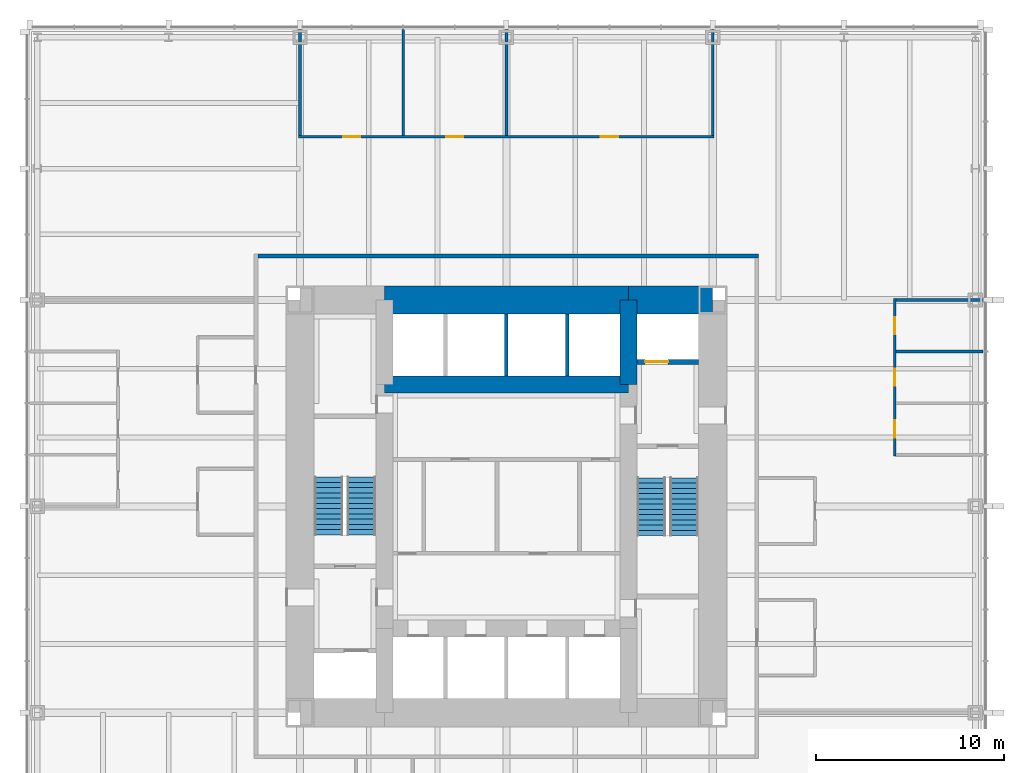
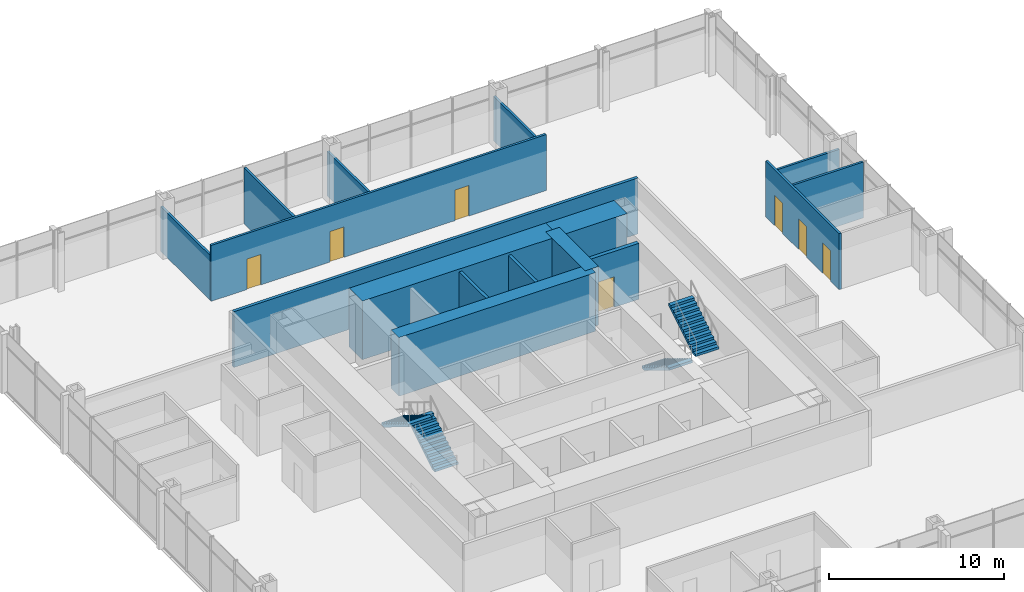
# One storey, part 11 of 12: 16 walls, 7 doors, 4 stair flights, 7 openings, 2 elements without a shape of their own.
"""IFC4 building model written with IfcOpenShell, lengths in metres."""

from ifc_helpers import new_model, si_unit, direction, frame, frame_2d, origin, place, context, subcontext, project, spatial, polyline, rectangle, outline, extrude, material, layer, layer_set, type_object, element, fill, aggregate, save


model = new_model("IFC4")

# Units and contexts
model_context = context("Model", 3, precision=1e-05, world=origin(), true_north=direction((0.0, 1.0)))
body_context = subcontext(model_context, "Body", "Model", "MODEL_VIEW")
ifc_project = project(units=[si_unit("LENGTHUNIT", "METRE"), si_unit("AREAUNIT", "SQUARE_METRE"), si_unit("VOLUMEUNIT", "CUBIC_METRE"), si_unit("PLANEANGLEUNIT", "RADIAN"), si_unit("MASSUNIT", "GRAM", prefix="KILO")], contexts=[model_context])

# Site, building, storey
site_placement = place(None, origin())
site = spatial("IfcSite", under=ifc_project, at=site_placement, CompositionType="ELEMENT")
building_placement = place(site_placement, origin())
building = spatial("IfcBuilding", under=site, at=building_placement, Name="Trevanion Tower", CompositionType="ELEMENT")
storey_placement = place(building_placement, frame((0.0, 0.0, 65.199951171875)))
storey = spatial("IfcBuildingStorey", under=building, at=storey_placement, Name="L15", CompositionType="ELEMENT", Elevation=65.199951171875)

# Walls
ifc_material_1 = material(Name="Concrete 10,000 psi", Category="concrete")
ifc_layer_1 = layer(ifc_material_1, 1.5)
ifc_layer_set_1 = layer_set([ifc_layer_1], Name="CW1 core wall 1500")
wall_type_1 = type_object("IfcWallType", Name="CW1 core wall 1500", PredefinedType="SHEAR", material=ifc_layer_set_1)
wall_1_placement = place(storey_placement, frame((11.0, 11.0, 0.0), z_axis=(0.0, 0.0, 1.0), x_axis=(-1.0, 0.0, 0.0)))
element("IfcWall", 1, at=wall_1_placement, inside=storey, type_object=wall_type_1, Name="CW1 CN1 L15", PredefinedType="SHEAR", context=body_context, shape_type="SweptSolid", body=[
    extrude(rectangle(XDim=4.5, YDim=1.5, at=frame_2d((2.25, 0.0))), origin(), (0.0, 0.0, 1.0), 4.10009765625),
])
wall_2_placement = place(storey_placement, frame((6.5, 11.0, 0.0), z_axis=(0.0, 0.0, 1.0), x_axis=(-1.0, 0.0, 0.0)))
element("IfcWall", 2, at=wall_2_placement, inside=storey, type_object=wall_type_1, Name="CW1 CN2 L15", PredefinedType="SHEAR", context=body_context, shape_type="SweptSolid", body=[
    extrude(rectangle(XDim=13.0, YDim=1.5, at=frame_2d((6.5, 0.0))), origin(), (0.0, 0.0, 1.0), 4.10009765625),
])
ifc_material_2 = material(Name="Concrete 10,000 psi", Category="concrete")
ifc_layer_2 = layer(ifc_material_2, 0.89990234375)
ifc_layer_set_2 = layer_set([ifc_layer_2], Name="CW2 core wall 900")
wall_type_2 = type_object("IfcWallType", Name="CW2 core wall 900", PredefinedType="SHEAR", material=ifc_layer_set_2)
wall_3_placement = place(storey_placement, frame((6.5, 6.5, 0.0), z_axis=(0.0, 0.0, 1.0), x_axis=(0.0, 1.0, 0.0)))
element("IfcWall", 3, at=wall_3_placement, inside=storey, type_object=wall_type_2, Name="CW2 RE3 L15", PredefinedType="SHEAR", context=body_context, shape_type="SweptSolid", body=[
    extrude(rectangle(XDim=4.5, YDim=0.89990234375, at=frame_2d((2.25, 0.0))), origin(), (0.0, 0.0, 1.0), 4.10009765625),
])
wall_4_placement = place(storey_placement, frame((6.5, 6.5, 0.0), z_axis=(0.0, 0.0, 1.0), x_axis=(-1.0, 0.0, 0.0)))
element("IfcWall", 4, at=wall_4_placement, inside=storey, type_object=wall_type_2, Name="CW2 RN L15", PredefinedType="SHEAR", context=body_context, shape_type="SweptSolid", body=[
    extrude(rectangle(XDim=13.0, YDim=0.89990234375, at=frame_2d((6.5, 0.0))), origin(), (0.0, 0.0, 1.0), 4.10009765625),
])

# Wall, openings, doors
ifc_material_3 = material(Name="Gypsum board on steel studs", Category="steel")
ifc_layer_3 = layer(ifc_material_3, 0.14990234375)
ifc_layer_set_3 = layer_set([ifc_layer_3], Name="PT1 partition 150")
wall_type_3 = type_object("IfcWallType", Name="PT1 partition 150", PredefinedType="PARTITIONING", material=ifc_layer_set_3)
wall_5_placement = place(storey_placement, frame((11.074951171875, 19.699951171875, 0.0), z_axis=(0.0, 0.0, 1.0), x_axis=(-1.0, 0.0, 0.0)))
wall_5 = element("IfcWall", 5, at=wall_5_placement, inside=storey, type_object=wall_type_3, Name="PT1 L15 FC1F", PredefinedType="PARTITIONING", context=body_context, shape_type="SweptSolid", body=[
    extrude(rectangle(XDim=22.14990234375, YDim=0.14990234375, at=frame_2d((11.074951171875, 0.0))), origin(), (0.0, 0.0, 1.0), 3.91015625),
])
opening_1_placement = place(wall_5_placement, frame((5.117431640625, 0.0, 0.0)))
opening_1 = element("IfcOpeningElement", 6, at=opening_1_placement, cuts=wall_5, Name="Opening 15-019", PredefinedType="OPENING", context=body_context, shape_type="SweptSolid", body=[
    extrude(rectangle(XDim=0.9150390625, YDim=2.134033203125, at=frame_2d((0.45751953125, 1.06689453125))), frame((0.0, 0.0849609375, 0.0), z_axis=(0.0, -1.0, 0.0), x_axis=(1.0, 0.0, 0.0)), (0.0, 0.0, 1.0), 0.169921875),
])
opening_2_placement = place(wall_5_placement, frame((13.367431640625, 0.0, 0.0)))
opening_2 = element("IfcOpeningElement", 7, at=opening_2_placement, cuts=wall_5, Name="Opening 15-020", PredefinedType="OPENING", context=body_context, shape_type="SweptSolid", body=[
    extrude(rectangle(XDim=0.9150390625, YDim=2.134033203125, at=frame_2d((0.45751953125, 1.06689453125))), frame((0.0, 0.0849609375, 0.0), z_axis=(0.0, -1.0, 0.0), x_axis=(1.0, 0.0, 0.0)), (0.0, 0.0, 1.0), 0.169921875),
])
opening_3_placement = place(wall_5_placement, frame((18.867431640625, 0.0, 0.0)))
opening_3 = element("IfcOpeningElement", 8, at=opening_3_placement, cuts=wall_5, Name="Opening 15-021", PredefinedType="OPENING", context=body_context, shape_type="SweptSolid", body=[
    extrude(rectangle(XDim=0.9150390625, YDim=2.134033203125, at=frame_2d((0.45751953125, 1.06689453125))), frame((0.0, 0.0849609375, 0.0), z_axis=(0.0, -1.0, 0.0), x_axis=(1.0, 0.0, 0.0)), (0.0, 0.0, 1.0), 0.169921875),
])
ifc_material_4 = material(Name="Timber veneer, solid core", Category="wood")
door_type_1 = type_object("IfcDoorType", Name="D1 office and meeting room door", OperationType="SINGLE_SWING_LEFT", PredefinedType="DOOR", material=ifc_material_4)
door_1_placement = place(opening_1_placement, origin())
door_1 = element("IfcDoor", 9, at=door_1_placement, inside=storey, type_object=door_type_1, Name="Door 15-019", OperationType="SINGLE_SWING_LEFT", OverallHeight=2.134033203125, OverallWidth=0.9150390625, PredefinedType="DOOR", context=body_context, shape_type="SweptSolid", body=[
    extrude(rectangle(XDim=0.9150390625, YDim=2.134033203125, at=frame_2d((0.45751953125, 1.06689453125))), frame((0.0, 0.02490234375, 0.0), z_axis=(0.0, -1.0, 0.0), x_axis=(1.0, 0.0, 0.0)), (0.0, 0.0, 1.0), 0.050048828125),
])
fill(opening_1, door_1)
door_2_placement = place(opening_2_placement, origin())
door_2 = element("IfcDoor", 10, at=door_2_placement, inside=storey, type_object=door_type_1, Name="Door 15-020", OperationType="SINGLE_SWING_LEFT", OverallHeight=2.134033203125, OverallWidth=0.9150390625, PredefinedType="DOOR", context=body_context, shape_type="SweptSolid", body=[
    extrude(rectangle(XDim=0.9150390625, YDim=2.134033203125, at=frame_2d((0.45751953125, 1.06689453125))), frame((0.0, 0.02490234375, 0.0), z_axis=(0.0, -1.0, 0.0), x_axis=(1.0, 0.0, 0.0)), (0.0, 0.0, 1.0), 0.050048828125),
])
fill(opening_2, door_2)
door_3_placement = place(opening_3_placement, origin())
door_3 = element("IfcDoor", 11, at=door_3_placement, inside=storey, type_object=door_type_1, Name="Door 15-021", OperationType="SINGLE_SWING_LEFT", OverallHeight=2.134033203125, OverallWidth=0.9150390625, PredefinedType="DOOR", context=body_context, shape_type="SweptSolid", body=[
    extrude(rectangle(XDim=0.9150390625, YDim=2.134033203125, at=frame_2d((0.45751953125, 1.06689453125))), frame((0.0, 0.02490234375, 0.0), z_axis=(0.0, -1.0, 0.0), x_axis=(1.0, 0.0, 0.0)), (0.0, 0.0, 1.0), 0.050048828125),
])
fill(opening_3, door_3)

# Walls
for number, where, z_axis, x_axis, name in (
    (12, (11.0, 19.77490234375, 0.0), (0.0, 0.0, 1.0), (0.0, 1.0, 0.0), "PT1 L15 FC1S0"),
    (13, (0.0, 19.77490234375, 0.0), (0.0, 0.0, 1.0), (0.0, 1.0, 0.0), "PT1 L15 FC1S4"),
):
    element("IfcWall", number, at=place(storey_placement, frame(where, z_axis=z_axis, x_axis=x_axis)), inside=storey, type_object=wall_type_3, Name=name, PredefinedType="PARTITIONING", context=body_context, shape_type="SweptSolid", body=[
        extrude(rectangle(XDim=5.64013671875, YDim=0.14990234375, at=frame_2d((2.820068359375, 0.0))), origin(), (0.0, 0.0, 1.0), 3.130126953125),
    ])
wall_6_placement = place(storey_placement, frame((-5.5, 19.77490234375, 0.0), z_axis=(0.0, 0.0, 1.0), x_axis=(0.0, 1.0, 0.0)))
element("IfcWall", 14, at=wall_6_placement, inside=storey, type_object=wall_type_3, Name="PT1 L15 FC1S6", PredefinedType="PARTITIONING", context=body_context, shape_type="SweptSolid", body=[
    extrude(rectangle(XDim=5.64013671875, YDim=0.14990234375, at=frame_2d((2.820068359375, 0.0))), origin(), (0.0, 0.0, 1.0), 3.91015625),
])
wall_7_placement = place(storey_placement, frame((-11.0, 19.77490234375, 0.0), z_axis=(0.0, 0.0, 1.0), x_axis=(0.0, 1.0, 0.0)))
element("IfcWall", 15, at=wall_7_placement, inside=storey, type_object=wall_type_3, Name="PT1 L15 FC1S8", PredefinedType="PARTITIONING", context=body_context, shape_type="SweptSolid", body=[
    extrude(rectangle(XDim=5.64013671875, YDim=0.14990234375, at=frame_2d((2.820068359375, 0.0))), origin(), (0.0, 0.0, 1.0), 3.130126953125),
])

# Wall, openings, doors
wall_8_placement = place(storey_placement, frame((20.699951171875, 2.675048828125, 0.0), z_axis=(0.0, 0.0, 1.0), x_axis=(0.0, 1.0, 0.0)))
wall_8 = element("IfcWall", 16, at=wall_8_placement, inside=storey, type_object=wall_type_3, Name="PT1 L15 FC0F", PredefinedType="PARTITIONING", context=body_context, shape_type="SweptSolid", body=[
    extrude(rectangle(XDim=8.39990234375, YDim=0.14990234375, at=frame_2d((4.199951171875, 0.0))), origin(), (0.0, 0.0, 1.0), 3.91015625),
])
opening_4_placement = place(wall_8_placement, frame((0.992431640625, 0.0, 0.0)))
opening_4 = element("IfcOpeningElement", 17, at=opening_4_placement, cuts=wall_8, Name="Opening 15-024", PredefinedType="OPENING", context=body_context, shape_type="SweptSolid", body=[
    extrude(rectangle(XDim=0.9150390625, YDim=2.134033203125, at=frame_2d((0.45751953125, 1.06689453125))), frame((0.0, 0.0849609375, 0.0), z_axis=(0.0, -1.0, 0.0), x_axis=(1.0, 0.0, 0.0)), (0.0, 0.0, 1.0), 0.169921875),
])
opening_5_placement = place(wall_8_placement, frame((3.742431640625, 0.0, 0.0)))
opening_5 = element("IfcOpeningElement", 18, at=opening_5_placement, cuts=wall_8, Name="Opening 15-025", PredefinedType="OPENING", context=body_context, shape_type="SweptSolid", body=[
    extrude(rectangle(XDim=0.9150390625, YDim=2.134033203125, at=frame_2d((0.45751953125, 1.06689453125))), frame((0.0, 0.0849609375, 0.0), z_axis=(0.0, -1.0, 0.0), x_axis=(1.0, 0.0, 0.0)), (0.0, 0.0, 1.0), 0.169921875),
])
opening_6_placement = place(wall_8_placement, frame((6.492431640625, 0.0, 0.0)))
opening_6 = element("IfcOpeningElement", 19, at=opening_6_placement, cuts=wall_8, Name="Opening 15-026", PredefinedType="OPENING", context=body_context, shape_type="SweptSolid", body=[
    extrude(rectangle(XDim=0.9150390625, YDim=2.134033203125, at=frame_2d((0.45751953125, 1.06689453125))), frame((0.0, 0.0849609375, 0.0), z_axis=(0.0, -1.0, 0.0), x_axis=(1.0, 0.0, 0.0)), (0.0, 0.0, 1.0), 0.169921875),
])
door_4_placement = place(opening_4_placement, origin())
door_4 = element("IfcDoor", 20, at=door_4_placement, inside=storey, type_object=door_type_1, Name="Door 15-024", OperationType="SINGLE_SWING_LEFT", OverallHeight=2.134033203125, OverallWidth=0.9150390625, PredefinedType="DOOR", context=body_context, shape_type="SweptSolid", body=[
    extrude(rectangle(XDim=0.9150390625, YDim=2.134033203125, at=frame_2d((0.45751953125, 1.06689453125))), frame((0.0, 0.02490234375, 0.0), z_axis=(0.0, -1.0, 0.0), x_axis=(1.0, 0.0, 0.0)), (0.0, 0.0, 1.0), 0.050048828125),
])
fill(opening_4, door_4)
door_5_placement = place(opening_5_placement, origin())
door_5 = element("IfcDoor", 21, at=door_5_placement, inside=storey, type_object=door_type_1, Name="Door 15-025", OperationType="SINGLE_SWING_LEFT", OverallHeight=2.134033203125, OverallWidth=0.9150390625, PredefinedType="DOOR", context=body_context, shape_type="SweptSolid", body=[
    extrude(rectangle(XDim=0.9150390625, YDim=2.134033203125, at=frame_2d((0.45751953125, 1.06689453125))), frame((0.0, 0.02490234375, 0.0), z_axis=(0.0, -1.0, 0.0), x_axis=(1.0, 0.0, 0.0)), (0.0, 0.0, 1.0), 0.050048828125),
])
fill(opening_5, door_5)
door_6_placement = place(opening_6_placement, origin())
door_6 = element("IfcDoor", 22, at=door_6_placement, inside=storey, type_object=door_type_1, Name="Door 15-026", OperationType="SINGLE_SWING_LEFT", OverallHeight=2.134033203125, OverallWidth=0.9150390625, PredefinedType="DOOR", context=body_context, shape_type="SweptSolid", body=[
    extrude(rectangle(XDim=0.9150390625, YDim=2.134033203125, at=frame_2d((0.45751953125, 1.06689453125))), frame((0.0, 0.02490234375, 0.0), z_axis=(0.0, -1.0, 0.0), x_axis=(1.0, 0.0, 0.0)), (0.0, 0.0, 1.0), 0.050048828125),
])
fill(opening_6, door_6)

# Walls
wall_9_placement = place(storey_placement, frame((20.77490234375, 8.25, 0.0), z_axis=(0.0, 0.0, 1.0), x_axis=(1.0, 0.0, 0.0)))
element("IfcWall", 23, at=wall_9_placement, inside=storey, type_object=wall_type_3, Name="PT1 L15 FC0S2", PredefinedType="PARTITIONING", context=body_context, shape_type="SweptSolid", body=[
    extrude(rectangle(XDim=4.64013671875, YDim=0.14990234375, at=frame_2d((2.320068359375, 0.0))), origin(), (0.0, 0.0, 1.0), 3.91015625),
])
wall_10_placement = place(storey_placement, frame((20.77490234375, 11.0, 0.0), z_axis=(0.0, 0.0, 1.0), x_axis=(1.0, 0.0, 0.0)))
element("IfcWall", 24, at=wall_10_placement, inside=storey, type_object=wall_type_3, Name="PT1 L15 FC0S3", PredefinedType="PARTITIONING", context=body_context, shape_type="SweptSolid", body=[
    extrude(rectangle(XDim=4.64013671875, YDim=0.14990234375, at=frame_2d((2.320068359375, 0.0))), origin(), (0.0, 0.0, 1.0), 3.130126953125),
])
ifc_material_5 = material(Name="Concrete masonry, grouted", Category="masonry")
ifc_layer_4 = layer(ifc_material_5, 0.199951171875)
ifc_layer_set_4 = layer_set([ifc_layer_4], Name="PT2 partition 200 1 HR")
wall_type_4 = type_object("IfcWallType", Name="PT2 partition 200 1 HR", PredefinedType="PARTITIONING", material=ifc_layer_set_4)
wall_11_placement = place(storey_placement, frame((13.449951171875, 13.35009765625, 0.0), z_axis=(0.0, 0.0, 1.0), x_axis=(-1.0, 0.0, 0.0)))
element("IfcWall", 25, at=wall_11_placement, inside=storey, type_object=wall_type_4, Name="PT2 L15 OC1", PredefinedType="PARTITIONING", context=body_context, shape_type="SweptSolid", body=[
    extrude(rectangle(XDim=26.699951171875, YDim=0.199951171875, at=frame_2d((13.35009765625, 0.0))), origin(), (0.0, 0.0, 1.0), 3.91015625),
])
ifc_material_6 = material(Name="Concrete masonry, grouted", Category="masonry")
ifc_layer_5 = layer(ifc_material_6, 0.199951171875)
ifc_layer_set_5 = layer_set([ifc_layer_5], Name="PT2 partition 200 2 HR")
wall_type_5 = type_object("IfcWallType", Name="PT2 partition 200 2 HR", PredefinedType="PARTITIONING", material=ifc_layer_set_5)
for number, where, z_axis, x_axis, name in (
    (26, (0.0, 6.949951171875, 0.0), (0.0, 0.0, 1.0), (0.0, 1.0, 0.0), "PT2 L15 NS1"),
    (27, (3.25, 6.949951171875, 0.0), (0.0, 0.0, 1.0), (0.0, 1.0, 0.0), "PT2 L15 NS2"),
):
    element("IfcWall", number, at=place(storey_placement, frame(where, z_axis=z_axis, x_axis=x_axis)), inside=storey, type_object=wall_type_5, Name=name, PredefinedType="PARTITIONING", context=body_context, shape_type="SweptSolid", body=[
        extrude(rectangle(XDim=3.300048828125, YDim=0.199951171875, at=frame_2d((1.64990234375, 0.0))), origin(), (0.0, 0.0, 1.0), 3.91015625),
    ])

# Wall, opening, door
ifc_material_7 = material(Name="Concrete masonry, grouted, two-hour", Category="masonry")
ifc_layer_6 = layer(ifc_material_7, 0.25)
ifc_layer_set_6 = layer_set([ifc_layer_6], Name="PT3 partition 250 2 HR")
wall_type_6 = type_object("IfcWallType", Name="PT3 partition 250 2 HR", PredefinedType="PARTITIONING", material=ifc_layer_set_6)
wall_12_placement = place(storey_placement, frame((6.949951171875, 7.699951171875, 0.0), z_axis=(0.0, 0.0, 1.0), x_axis=(1.0, 0.0, 0.0)))
wall_12 = element("IfcWall", 28, at=wall_12_placement, inside=storey, type_object=wall_type_6, Name="PT3 L15 EP3", PredefinedType="PARTITIONING", context=body_context, shape_type="SweptSolid", body=[
    extrude(rectangle(XDim=3.300048828125, YDim=0.25, at=frame_2d((1.64990234375, 0.0))), origin(), (0.0, 0.0, 1.0), 3.91015625),
])
opening_7_placement = place(wall_12_placement, frame((0.449951171875, 0.0, 0.0)))
opening_7 = element("IfcOpeningElement", 29, at=opening_7_placement, cuts=wall_12, Name="Opening 15-007", PredefinedType="OPENING", context=body_context, shape_type="SweptSolid", body=[
    extrude(rectangle(XDim=1.218994140625, YDim=2.134033203125, at=frame_2d((0.609375, 1.06689453125))), frame((0.0, 0.135009765625, 0.0), z_axis=(0.0, -1.0, 0.0), x_axis=(1.0, 0.0, 0.0)), (0.0, 0.0, 1.0), 0.27001953125),
])
ifc_material_8 = material(Name="Stainless steel, fire rated", Category="steel")
door_type_2 = type_object("IfcDoorType", Name="LD2 fire service lift landing door", OperationType="SLIDING_TO_LEFT", PredefinedType="DOOR", material=ifc_material_8)
door_7_placement = place(opening_7_placement, origin())
door_7 = element("IfcDoor", 30, at=door_7_placement, inside=storey, type_object=door_type_2, Name="Door 15-007", OperationType="SLIDING_TO_LEFT", OverallHeight=2.134033203125, OverallWidth=1.218994140625, PredefinedType="DOOR", context=body_context, shape_type="SweptSolid", body=[
    extrude(rectangle(XDim=1.218994140625, YDim=2.134033203125, at=frame_2d((0.609375, 1.06689453125))), frame((0.0, 0.02490234375, 0.0), z_axis=(0.0, -1.0, 0.0), x_axis=(1.0, 0.0, 0.0)), (0.0, 0.0, 1.0), 0.050048828125),
])
fill(opening_7, door_7)

# Stair, stair flights
ifc_material_9 = material(Name="Concrete 5,000 psi on steel stringers", Category="concrete")
stair_type = type_object("IfcStairType", Name="ST stair", PredefinedType="HALF_TURN_STAIR", material=ifc_material_9)
stair_1_placement = place(storey_placement, origin())
stair_1 = element("IfcStair", 31, at=stair_1_placement, inside=storey, type_object=stair_type, Name="ST1 L15", PredefinedType="HALF_TURN_STAIR")
ifc_material_10 = material(Name="Concrete 5,000 psi in steel pan", Category="concrete")
stair_flight_type = type_object("IfcStairFlightType", Name="STF stair flight", PredefinedType="STRAIGHT", material=ifc_material_10)
stair_flight_1_placement = place(storey_placement, frame((7.72509765625, 1.52490234375, 0.0), z_axis=(0.0, 0.0, 1.0), x_axis=(0.0, -1.0, 0.0)))
stair_flight_1 = element("IfcStairFlight", 32, at=stair_flight_1_placement, type_object=stair_flight_type, Name="ST1 flight 1", NumberOfRisers=12, NumberOfTreads=11, PredefinedType="STRAIGHT", RiserHeight=0.170833333, TreadLength=0.28, context=body_context, shape_type="SweptSolid", body=[
    extrude(outline(polyline([(0.0, 0.0), (0.0, 0.1708984375), (0.280029296875, 0.1708984375), (0.280029296875, 0.341552734375), (0.56005859375, 0.341552734375), (0.56005859375, 0.512451171875), (0.840087890625, 0.512451171875), (0.840087890625, 0.683349609375), (1.1201171875, 0.683349609375), (1.1201171875, 0.854248046875), (1.39990234375, 0.854248046875), (1.39990234375, 1.02490234375), (1.679931640625, 1.02490234375), (1.679931640625, 1.19580078125), (1.9599609375, 1.19580078125), (1.9599609375, 1.36669921875), (2.239990234375, 1.36669921875), (2.239990234375, 1.53759765625), (2.52001953125, 1.53759765625), (2.52001953125, 1.708251953125), (2.800048828125, 1.708251953125), (2.800048828125, 1.879150390625), (3.080078125, 1.879150390625), (3.080078125, 2.050048828125), (3.080078125, 1.70361328125), (0.287841796875, 0.0), (0.0, 0.0)])), frame((0.0, 0.77490234375, 0.0), z_axis=(0.0, -1.0, 0.0), x_axis=(1.0, 0.0, 0.0)), (0.0, 0.0, 1.0), 1.550048828125),
])
stair_flight_2_placement = place(storey_placement, frame((9.47509765625, -1.554931640625, 2.050048828125), z_axis=(0.0, 0.0, 1.0), x_axis=(0.0, 1.0, 0.0)))
stair_flight_2 = element("IfcStairFlight", 33, at=stair_flight_2_placement, type_object=stair_flight_type, Name="ST1 flight 2", NumberOfRisers=12, NumberOfTreads=11, PredefinedType="STRAIGHT", RiserHeight=0.170833333, TreadLength=0.28, context=body_context, shape_type="SweptSolid", body=[
    extrude(outline(polyline([(0.0, 0.0), (0.0, 0.1708984375), (0.280029296875, 0.1708984375), (0.280029296875, 0.341552734375), (0.56005859375, 0.341552734375), (0.56005859375, 0.512451171875), (0.840087890625, 0.512451171875), (0.840087890625, 0.683349609375), (1.1201171875, 0.683349609375), (1.1201171875, 0.854248046875), (1.39990234375, 0.854248046875), (1.39990234375, 1.02490234375), (1.679931640625, 1.02490234375), (1.679931640625, 1.19580078125), (1.9599609375, 1.19580078125), (1.9599609375, 1.36669921875), (2.239990234375, 1.36669921875), (2.239990234375, 1.53759765625), (2.52001953125, 1.53759765625), (2.52001953125, 1.708251953125), (2.800048828125, 1.708251953125), (2.800048828125, 1.879150390625), (3.080078125, 1.879150390625), (3.080078125, 2.050048828125), (3.080078125, 1.70361328125), (0.287841796875, 0.0), (0.0, 0.0)])), frame((0.0, 0.77490234375, 0.0), z_axis=(0.0, -1.0, 0.0), x_axis=(1.0, 0.0, 0.0)), (0.0, 0.0, 1.0), 1.550048828125),
])
aggregate(stair_1, [stair_flight_1, stair_flight_2])

stair_2_placement = place(storey_placement, origin())
stair_2 = element("IfcStair", 34, at=stair_2_placement, inside=storey, type_object=stair_type, Name="ST2 L15", PredefinedType="HALF_TURN_STAIR")
stair_flight_3_placement = place(storey_placement, frame((-7.72509765625, -1.52490234375, 0.0), z_axis=(0.0, 0.0, 1.0), x_axis=(0.0, 1.0, 0.0)))
stair_flight_3 = element("IfcStairFlight", 35, at=stair_flight_3_placement, type_object=stair_flight_type, Name="ST2 flight 1", NumberOfRisers=12, NumberOfTreads=11, PredefinedType="STRAIGHT", RiserHeight=0.170833333, TreadLength=0.28, context=body_context, shape_type="SweptSolid", body=[
    extrude(outline(polyline([(0.0, 0.0), (0.0, 0.1708984375), (0.280029296875, 0.1708984375), (0.280029296875, 0.341552734375), (0.56005859375, 0.341552734375), (0.56005859375, 0.512451171875), (0.840087890625, 0.512451171875), (0.840087890625, 0.683349609375), (1.1201171875, 0.683349609375), (1.1201171875, 0.854248046875), (1.39990234375, 0.854248046875), (1.39990234375, 1.02490234375), (1.679931640625, 1.02490234375), (1.679931640625, 1.19580078125), (1.9599609375, 1.19580078125), (1.9599609375, 1.36669921875), (2.239990234375, 1.36669921875), (2.239990234375, 1.53759765625), (2.52001953125, 1.53759765625), (2.52001953125, 1.708251953125), (2.800048828125, 1.708251953125), (2.800048828125, 1.879150390625), (3.080078125, 1.879150390625), (3.080078125, 2.050048828125), (3.080078125, 1.70361328125), (0.287841796875, 0.0), (0.0, 0.0)])), frame((0.0, 0.77490234375, 0.0), z_axis=(0.0, -1.0, 0.0), x_axis=(1.0, 0.0, 0.0)), (0.0, 0.0, 1.0), 1.550048828125),
])
stair_flight_4_placement = place(storey_placement, frame((-9.47509765625, 1.554931640625, 2.050048828125), z_axis=(0.0, 0.0, 1.0), x_axis=(0.0, -1.0, 0.0)))
stair_flight_4 = element("IfcStairFlight", 36, at=stair_flight_4_placement, type_object=stair_flight_type, Name="ST2 flight 2", NumberOfRisers=12, NumberOfTreads=11, PredefinedType="STRAIGHT", RiserHeight=0.170833333, TreadLength=0.28, context=body_context, shape_type="SweptSolid", body=[
    extrude(outline(polyline([(0.0, 0.0), (0.0, 0.1708984375), (0.280029296875, 0.1708984375), (0.280029296875, 0.341552734375), (0.56005859375, 0.341552734375), (0.56005859375, 0.512451171875), (0.840087890625, 0.512451171875), (0.840087890625, 0.683349609375), (1.1201171875, 0.683349609375), (1.1201171875, 0.854248046875), (1.39990234375, 0.854248046875), (1.39990234375, 1.02490234375), (1.679931640625, 1.02490234375), (1.679931640625, 1.19580078125), (1.9599609375, 1.19580078125), (1.9599609375, 1.36669921875), (2.239990234375, 1.36669921875), (2.239990234375, 1.53759765625), (2.52001953125, 1.53759765625), (2.52001953125, 1.708251953125), (2.800048828125, 1.708251953125), (2.800048828125, 1.879150390625), (3.080078125, 1.879150390625), (3.080078125, 2.050048828125), (3.080078125, 1.70361328125), (0.287841796875, 0.0), (0.0, 0.0)])), frame((0.0, 0.77490234375, 0.0), z_axis=(0.0, -1.0, 0.0), x_axis=(1.0, 0.0, 0.0)), (0.0, 0.0, 1.0), 1.550048828125),
])
aggregate(stair_2, [stair_flight_3, stair_flight_4])

save(model, "model.ifc")
